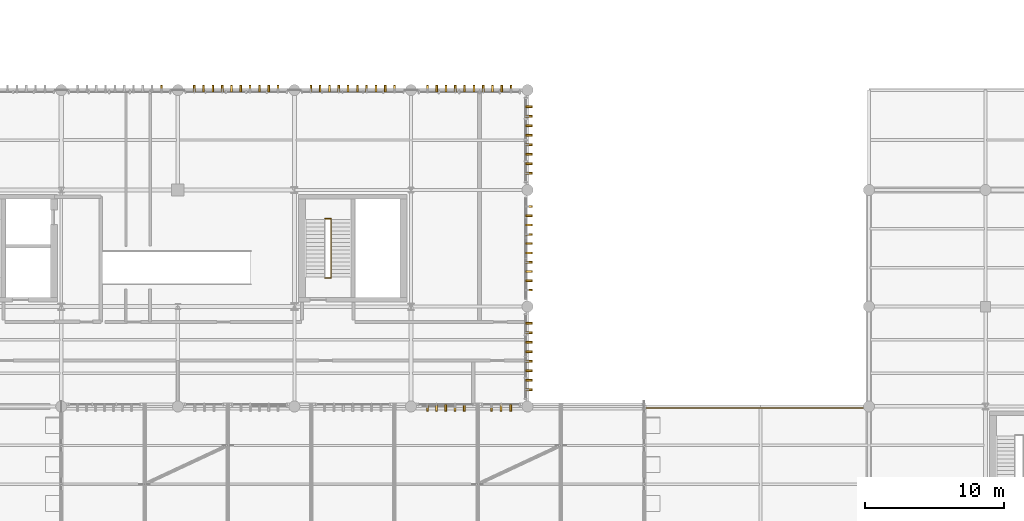
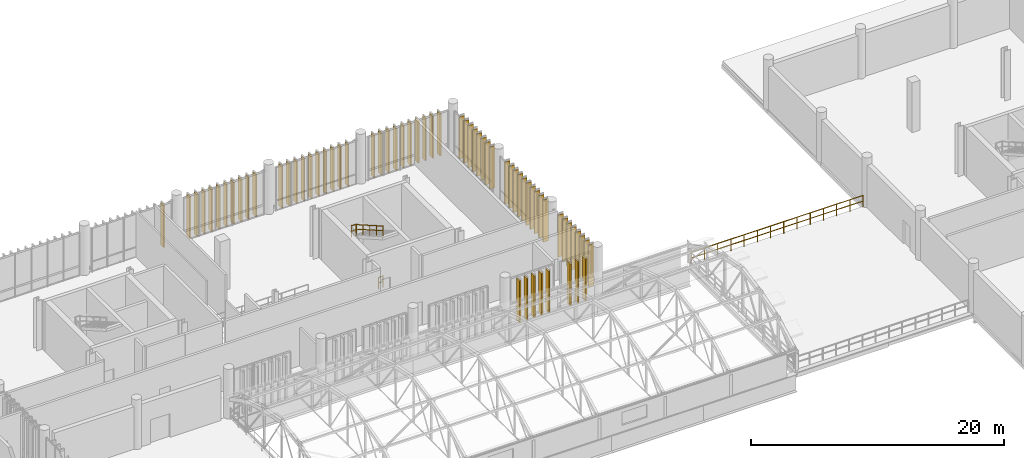
# One storey, part 104 of 109: 65 coverings, 4 railings.
"""IFC4 building model written with IfcOpenShell, lengths in metres."""

from ifc_helpers import new_model, si_unit, direction, frame, frame_2d, origin_with_axes, origin_2d_with_axis, place, context, subcontext, project, spatial, rectangle, circle, extrude, material, type_object, element, save


model = new_model("IFC4")

# Units and contexts
model_context = context("Model", 3, precision=1e-05, world=origin_with_axes(), true_north=direction((0.0, 1.0)))
body_context = subcontext(model_context, "Body", "Model", "MODEL_VIEW")
ifc_project = project(units=[si_unit("LENGTHUNIT", "METRE"), si_unit("AREAUNIT", "SQUARE_METRE"), si_unit("VOLUMEUNIT", "CUBIC_METRE"), si_unit("PLANEANGLEUNIT", "RADIAN"), si_unit("MASSUNIT", "GRAM", prefix="KILO"), si_unit("THERMODYNAMICTEMPERATUREUNIT", "KELVIN")], contexts=[model_context])

# Site, building, storey
site_placement = place(None, origin_with_axes())
site = spatial("IfcSite", under=ifc_project, at=site_placement, CompositionType="ELEMENT")
building_placement = place(site_placement, origin_with_axes())
building = spatial("IfcBuilding", under=site, at=building_placement, Name="Montbau Bow Law Courts", CompositionType="ELEMENT")
storey_placement = place(building_placement, frame((0.0, 0.0, 10.8), z_axis=(0.0, 0.0, 1.0), x_axis=(1.0, 0.0, 0.0)))
storey = spatial("IfcBuildingStorey", under=building, at=storey_placement, Name="L02", CompositionType="ELEMENT", Elevation=10.8)

# Coverings
ifc_material_1 = material(Name="Freeze-Thaw Glazed Warm Cream Ceramic Vertical Louvre", Category="masonry")
covering_type = type_object("IfcCoveringType", Name="CV-LVR-CRM", PredefinedType="CLADDING", material=ifc_material_1)
for number, where, z_axis, x_axis, name in (
    (1, (89.98, 39.13, 10.8), (-1.0, 0.0, 0.0), (0.0, -1.0, 0.0), "CLV-L02-1439:cov_1484"),
    (2, (90.644, 39.13, 10.8), (-1.0, 0.0, 0.0), (0.0, -1.0, 0.0), "CLV-L02-1440:cov_1485"),
    (3, (91.309, 39.13, 10.8), (-1.0, 0.0, 0.0), (0.0, -1.0, 0.0), "CLV-L02-1441:cov_1486"),
    (4, (91.974, 39.13, 10.8), (-1.0, 0.0, 0.0), (0.0, -1.0, 0.0), "CLV-L02-1442:cov_1487"),
    (5, (92.638, 39.13, 10.8), (-1.0, 0.0, 0.0), (0.0, -1.0, 0.0), "CLV-L02-1443:cov_1488"),
    (6, (94.594, 39.13, 10.8), (-1.0, 0.0, 0.0), (0.0, -1.0, 0.0), "CLV-L02-1444:cov_1489"),
    (7, (95.291, 39.13, 10.8), (-1.0, 0.0, 0.0), (0.0, -1.0, 0.0), "CLV-L02-1445:cov_1490"),
    (8, (95.988, 39.13, 10.8), (-1.0, 0.0, 0.0), (0.0, -1.0, 0.0), "CLV-L02-1446:cov_1491"),
    (9, (70.815, 61.67, 10.8), (1.0, 0.0, 0.0), (0.0, 1.0, 0.0), "CLV-L02-1476:cov_1521"),
    (10, (73.185, 61.67, 10.8), (1.0, 0.0, 0.0), (0.0, 1.0, 0.0), "CLV-L02-1477:cov_1522"),
    (11, (73.855, 61.67, 10.8), (1.0, 0.0, 0.0), (0.0, 1.0, 0.0), "CLV-L02-1478:cov_1523"),
    (12, (74.525, 61.67, 10.8), (1.0, 0.0, 0.0), (0.0, 1.0, 0.0), "CLV-L02-1479:cov_1524"),
    (13, (75.195, 61.67, 10.8), (1.0, 0.0, 0.0), (0.0, 1.0, 0.0), "CLV-L02-1480:cov_1525"),
    (14, (75.865, 61.67, 10.8), (1.0, 0.0, 0.0), (0.0, 1.0, 0.0), "CLV-L02-1481:cov_1526"),
    (15, (76.535, 61.67, 10.8), (1.0, 0.0, 0.0), (0.0, 1.0, 0.0), "CLV-L02-1482:cov_1527"),
    (16, (77.205, 61.67, 10.8), (1.0, 0.0, 0.0), (0.0, 1.0, 0.0), "CLV-L02-1483:cov_1528"),
    (17, (77.875, 61.67, 10.8), (1.0, 0.0, 0.0), (0.0, 1.0, 0.0), "CLV-L02-1484:cov_1529"),
    (18, (78.545, 61.67, 10.8), (1.0, 0.0, 0.0), (0.0, 1.0, 0.0), "CLV-L02-1485:cov_1530"),
    (19, (79.215, 61.67, 10.8), (1.0, 0.0, 0.0), (0.0, 1.0, 0.0), "CLV-L02-1486:cov_1531"),
    (20, (81.585, 61.67, 10.8), (1.0, 0.0, 0.0), (0.0, 1.0, 0.0), "CLV-L02-1487:cov_1532"),
    (21, (82.255, 61.67, 10.8), (1.0, 0.0, 0.0), (0.0, 1.0, 0.0), "CLV-L02-1488:cov_1533"),
    (22, (82.925, 61.67, 10.8), (1.0, 0.0, 0.0), (0.0, 1.0, 0.0), "CLV-L02-1489:cov_1534"),
    (23, (83.595, 61.67, 10.8), (1.0, 0.0, 0.0), (0.0, 1.0, 0.0), "CLV-L02-1490:cov_1535"),
    (24, (84.265, 61.67, 10.8), (1.0, 0.0, 0.0), (0.0, 1.0, 0.0), "CLV-L02-1491:cov_1536"),
    (25, (84.935, 61.67, 10.8), (1.0, 0.0, 0.0), (0.0, 1.0, 0.0), "CLV-L02-1492:cov_1537"),
    (26, (85.605, 61.67, 10.8), (1.0, 0.0, 0.0), (0.0, 1.0, 0.0), "CLV-L02-1493:cov_1538"),
    (27, (86.275, 61.67, 10.8), (1.0, 0.0, 0.0), (0.0, 1.0, 0.0), "CLV-L02-1494:cov_1539"),
    (28, (86.945, 61.67, 10.8), (1.0, 0.0, 0.0), (0.0, 1.0, 0.0), "CLV-L02-1495:cov_1540"),
    (29, (87.615, 61.67, 10.8), (1.0, 0.0, 0.0), (0.0, 1.0, 0.0), "CLV-L02-1496:cov_1541"),
    (30, (89.985, 61.67, 10.8), (1.0, 0.0, 0.0), (0.0, 1.0, 0.0), "CLV-L02-1497:cov_1542"),
    (31, (90.655, 61.67, 10.8), (1.0, 0.0, 0.0), (0.0, 1.0, 0.0), "CLV-L02-1498:cov_1543"),
    (32, (91.325, 61.67, 10.8), (1.0, 0.0, 0.0), (0.0, 1.0, 0.0), "CLV-L02-1499:cov_1544"),
    (33, (91.995, 61.67, 10.8), (1.0, 0.0, 0.0), (0.0, 1.0, 0.0), "CLV-L02-1500:cov_1545"),
    (34, (92.665, 61.67, 10.8), (1.0, 0.0, 0.0), (0.0, 1.0, 0.0), "CLV-L02-1501:cov_1546"),
    (35, (93.335, 61.67, 10.8), (1.0, 0.0, 0.0), (0.0, 1.0, 0.0), "CLV-L02-1502:cov_1547"),
    (36, (94.005, 61.67, 10.8), (1.0, 0.0, 0.0), (0.0, 1.0, 0.0), "CLV-L02-1503:cov_1548"),
    (37, (94.675, 61.67, 10.8), (1.0, 0.0, 0.0), (0.0, 1.0, 0.0), "CLV-L02-1504:cov_1549"),
    (38, (95.345, 61.67, 10.8), (1.0, 0.0, 0.0), (0.0, 1.0, 0.0), "CLV-L02-1505:cov_1550"),
    (39, (96.015, 61.67, 10.8), (1.0, 0.0, 0.0), (0.0, 1.0, 0.0), "CLV-L02-1506:cov_1551"),
    (40, (97.07, 40.201, 10.8), (0.0, -1.0, 0.0), (1.0, 0.0, 0.0), "CLV-L02-1533:cov_1578"),
    (41, (97.07, 40.886, 10.8), (0.0, -1.0, 0.0), (1.0, 0.0, 0.0), "CLV-L02-1534:cov_1579"),
    (42, (97.07, 41.572, 10.8), (0.0, -1.0, 0.0), (1.0, 0.0, 0.0), "CLV-L02-1535:cov_1580"),
    (43, (97.07, 42.257, 10.8), (0.0, -1.0, 0.0), (1.0, 0.0, 0.0), "CLV-L02-1536:cov_1581"),
    (44, (97.07, 42.943, 10.8), (0.0, -1.0, 0.0), (1.0, 0.0, 0.0), "CLV-L02-1537:cov_1582"),
    (45, (97.07, 43.628, 10.8), (0.0, -1.0, 0.0), (1.0, 0.0, 0.0), "CLV-L02-1538:cov_1583"),
    (46, (97.07, 44.314, 10.8), (0.0, -1.0, 0.0), (1.0, 0.0, 0.0), "CLV-L02-1539:cov_1584"),
    (47, (97.07, 44.999, 10.8), (0.0, -1.0, 0.0), (1.0, 0.0, 0.0), "CLV-L02-1540:cov_1585"),
    (48, (97.07, 47.385, 10.8), (0.0, -1.0, 0.0), (1.0, 0.0, 0.0), "CLV-L02-1541:cov_1586"),
    (49, (97.07, 48.055, 10.8), (0.0, -1.0, 0.0), (1.0, 0.0, 0.0), "CLV-L02-1542:cov_1587"),
    (50, (97.07, 48.725, 10.8), (0.0, -1.0, 0.0), (1.0, 0.0, 0.0), "CLV-L02-1543:cov_1588"),
    (51, (97.07, 49.395, 10.8), (0.0, -1.0, 0.0), (1.0, 0.0, 0.0), "CLV-L02-1544:cov_1589"),
    (52, (97.07, 50.065, 10.8), (0.0, -1.0, 0.0), (1.0, 0.0, 0.0), "CLV-L02-1545:cov_1590"),
    (53, (97.07, 50.735, 10.8), (0.0, -1.0, 0.0), (1.0, 0.0, 0.0), "CLV-L02-1546:cov_1591"),
    (54, (97.07, 51.405, 10.8), (0.0, -1.0, 0.0), (1.0, 0.0, 0.0), "CLV-L02-1547:cov_1592"),
    (55, (97.07, 52.075, 10.8), (0.0, -1.0, 0.0), (1.0, 0.0, 0.0), "CLV-L02-1548:cov_1593"),
    (56, (97.07, 52.745, 10.8), (0.0, -1.0, 0.0), (1.0, 0.0, 0.0), "CLV-L02-1549:cov_1594"),
    (57, (97.07, 53.415, 10.8), (0.0, -1.0, 0.0), (1.0, 0.0, 0.0), "CLV-L02-1550:cov_1595"),
    (58, (97.07, 55.801, 10.8), (0.0, -1.0, 0.0), (1.0, 0.0, 0.0), "CLV-L02-1551:cov_1596"),
    (59, (97.07, 56.486, 10.8), (0.0, -1.0, 0.0), (1.0, 0.0, 0.0), "CLV-L02-1552:cov_1597"),
    (60, (97.07, 57.172, 10.8), (0.0, -1.0, 0.0), (1.0, 0.0, 0.0), "CLV-L02-1553:cov_1598"),
    (61, (97.07, 57.857, 10.8), (0.0, -1.0, 0.0), (1.0, 0.0, 0.0), "CLV-L02-1554:cov_1599"),
    (62, (97.07, 58.543, 10.8), (0.0, -1.0, 0.0), (1.0, 0.0, 0.0), "CLV-L02-1555:cov_1600"),
    (63, (97.07, 59.228, 10.8), (0.0, -1.0, 0.0), (1.0, 0.0, 0.0), "CLV-L02-1556:cov_1601"),
    (64, (97.07, 59.914, 10.8), (0.0, -1.0, 0.0), (1.0, 0.0, 0.0), "CLV-L02-1557:cov_1602"),
    (65, (97.07, 60.599, 10.8), (0.0, -1.0, 0.0), (1.0, 0.0, 0.0), "CLV-L02-1558:cov_1603"),
):
    element("IfcCovering", number, at=place(None, frame(where, z_axis=z_axis, x_axis=x_axis)), inside=storey, type_object=covering_type, Name=name, PredefinedType="CLADDING", context=body_context, shape_type="SweptSolid", body=[
        extrude(rectangle(XDim=0.48, YDim=4.04, at=frame_2d((0.24, 2.02), x_axis=(1.0, 0.0))), frame((0.0, 0.0, -0.06), z_axis=(0.0, 0.0, 1.0), x_axis=(1.0, 0.0, 0.0)), (0.0, 0.0, 1.0), 0.12),
    ])

# Railings
ifc_material_2 = material(Name="Architectural Bronze-Finished Steel Stair Guard", Category="steel")
railing_type_1 = type_object("IfcRailingType", Name="RL-GRD-1100", PredefinedType="GUARDRAIL", material=ifc_material_2)
railing_1_placement = place(None, origin_with_axes())
element("IfcRailing", 66, at=railing_1_placement, inside=storey, type_object=railing_type_1, Name="SG-ST-P3-L02-ML:rlg_0140", PredefinedType="GUARDRAIL", context=body_context, shape_type="SweptSolid", body=[
    extrude(circle(Radius=0.0225, at=origin_2d_with_axis()), frame((82.61, 52.53, 14.302), z_axis=(1.0, 0.0, 0.0), x_axis=(0.0, 0.0, 1.0)), (0.0, 0.0, 1.0), 0.43),
    extrude(circle(Radius=0.02025, at=origin_2d_with_axis()), frame((82.61, 52.53, 13.772), z_axis=(1.0, 0.0, 0.0), x_axis=(0.0, 0.0, 1.0)), (0.0, 0.0, 1.0), 0.43),
    extrude(circle(Radius=0.02025, at=origin_2d_with_axis()), frame((82.61, 52.53, 13.2), z_axis=(0.0, 0.0, 1.0), x_axis=(1.0, 0.0, 0.0)), (0.0, 0.0, 1.0), 1.07525),
    extrude(circle(Radius=0.02025, at=origin_2d_with_axis()), frame((83.04, 52.53, 13.2), z_axis=(0.0, 0.0, 1.0), x_axis=(1.0, 0.0, 0.0)), (0.0, 0.0, 1.0), 1.07525),
])
railing_2_placement = place(None, origin_with_axes())
element("IfcRailing", 67, at=railing_2_placement, inside=storey, type_object=railing_type_1, Name="SG-ST-P3-L02-BL:rlg_0141", PredefinedType="GUARDRAIL", context=body_context, shape_type="SweptSolid", body=[
    extrude(circle(Radius=0.0225, at=origin_2d_with_axis()), frame((82.61, 48.27, 11.902), z_axis=(1.0, 0.0, 0.0), x_axis=(0.0, 0.0, 1.0)), (0.0, 0.0, 1.0), 0.43),
    extrude(circle(Radius=0.02025, at=origin_2d_with_axis()), frame((82.61, 48.27, 11.372), z_axis=(1.0, 0.0, 0.0), x_axis=(0.0, 0.0, 1.0)), (0.0, 0.0, 1.0), 0.43),
    extrude(circle(Radius=0.02025, at=origin_2d_with_axis()), frame((82.61, 48.27, 10.8), z_axis=(0.0, 0.0, 1.0), x_axis=(1.0, 0.0, 0.0)), (0.0, 0.0, 1.0), 1.07525),
    extrude(circle(Radius=0.02025, at=origin_2d_with_axis()), frame((83.04, 48.27, 10.8), z_axis=(0.0, 0.0, 1.0), x_axis=(1.0, 0.0, 0.0)), (0.0, 0.0, 1.0), 1.07525),
])
ifc_material_3 = material(Name="Brushed Stainless Steel AISI 316L Guardrail", Category="steel")
railing_type_2 = type_object("IfcRailingType", Name="RL-GRD-1120", PredefinedType="GUARDRAIL", material=ifc_material_3)
railing_3_placement = place(None, origin_with_axes())
element("IfcRailing", 68, at=railing_3_placement, inside=storey, type_object=railing_type_2, Name="GRD-TER-L02-E-6:rlg_0009", PredefinedType="GUARDRAIL", context=body_context, shape_type="SweptSolid", body=[
    extrude(circle(Radius=0.025, at=origin_2d_with_axis()), frame((105.7, 38.9, 11.922), z_axis=(1.0, 0.0, 0.0), x_axis=(0.0, 0.0, 1.0)), (0.0, 0.0, 1.0), 15.68),
    extrude(circle(Radius=0.022500000000000003, at=origin_2d_with_axis()), frame((105.7, 38.9, 11.3824), z_axis=(1.0, 0.0, 0.0), x_axis=(0.0, 0.0, 1.0)), (0.0, 0.0, 1.0), 15.68),
    extrude(circle(Radius=0.022500000000000003, at=origin_2d_with_axis()), frame((105.7, 38.9, 10.8), z_axis=(0.0, 0.0, 1.0), x_axis=(1.0, 0.0, 0.0)), (0.0, 0.0, 1.0), 1.0925),
    extrude(circle(Radius=0.022500000000000003, at=origin_2d_with_axis()), frame((106.906154, 38.9, 10.8), z_axis=(0.0, 0.0, 1.0), x_axis=(1.0, 0.0, 0.0)), (0.0, 0.0, 1.0), 1.0925),
    extrude(circle(Radius=0.022500000000000003, at=origin_2d_with_axis()), frame((108.112308, 38.9, 10.8), z_axis=(0.0, 0.0, 1.0), x_axis=(1.0, 0.0, 0.0)), (0.0, 0.0, 1.0), 1.0925),
    extrude(circle(Radius=0.022500000000000003, at=origin_2d_with_axis()), frame((109.318462, 38.9, 10.8), z_axis=(0.0, 0.0, 1.0), x_axis=(1.0, 0.0, 0.0)), (0.0, 0.0, 1.0), 1.0925),
    extrude(circle(Radius=0.022500000000000003, at=origin_2d_with_axis()), frame((110.524615, 38.9, 10.8), z_axis=(0.0, 0.0, 1.0), x_axis=(1.0, 0.0, 0.0)), (0.0, 0.0, 1.0), 1.0925),
    extrude(circle(Radius=0.022500000000000003, at=origin_2d_with_axis()), frame((111.730769, 38.9, 10.8), z_axis=(0.0, 0.0, 1.0), x_axis=(1.0, 0.0, 0.0)), (0.0, 0.0, 1.0), 1.0925),
    extrude(circle(Radius=0.022500000000000003, at=origin_2d_with_axis()), frame((112.936923, 38.9, 10.8), z_axis=(0.0, 0.0, 1.0), x_axis=(1.0, 0.0, 0.0)), (0.0, 0.0, 1.0), 1.0925),
    extrude(circle(Radius=0.022500000000000003, at=origin_2d_with_axis()), frame((114.143077, 38.9, 10.8), z_axis=(0.0, 0.0, 1.0), x_axis=(1.0, 0.0, 0.0)), (0.0, 0.0, 1.0), 1.0925),
    extrude(circle(Radius=0.022500000000000003, at=origin_2d_with_axis()), frame((115.349231, 38.9, 10.8), z_axis=(0.0, 0.0, 1.0), x_axis=(1.0, 0.0, 0.0)), (0.0, 0.0, 1.0), 1.0925),
    extrude(circle(Radius=0.022500000000000003, at=origin_2d_with_axis()), frame((116.555385, 38.9, 10.8), z_axis=(0.0, 0.0, 1.0), x_axis=(1.0, 0.0, 0.0)), (0.0, 0.0, 1.0), 1.0925),
    extrude(circle(Radius=0.022500000000000003, at=origin_2d_with_axis()), frame((117.761538, 38.9, 10.8), z_axis=(0.0, 0.0, 1.0), x_axis=(1.0, 0.0, 0.0)), (0.0, 0.0, 1.0), 1.0925),
    extrude(circle(Radius=0.022500000000000003, at=origin_2d_with_axis()), frame((118.967692, 38.9, 10.8), z_axis=(0.0, 0.0, 1.0), x_axis=(1.0, 0.0, 0.0)), (0.0, 0.0, 1.0), 1.0925),
    extrude(circle(Radius=0.022500000000000003, at=origin_2d_with_axis()), frame((120.173846, 38.9, 10.8), z_axis=(0.0, 0.0, 1.0), x_axis=(1.0, 0.0, 0.0)), (0.0, 0.0, 1.0), 1.0925),
    extrude(circle(Radius=0.022500000000000003, at=origin_2d_with_axis()), frame((121.38, 38.9, 10.8), z_axis=(0.0, 0.0, 1.0), x_axis=(1.0, 0.0, 0.0)), (0.0, 0.0, 1.0), 1.0925),
])
ifc_material_4 = material(Name="White-Oak and Stainless Continuous Stair Handrail", Category="steel")
railing_type_3 = type_object("IfcRailingType", Name="RL-HND-0920", PredefinedType="HANDRAIL", material=ifc_material_4)
railing_4_placement = place(None, origin_with_axes())
element("IfcRailing", 69, at=railing_4_placement, inside=storey, type_object=railing_type_3, Name="HR-ST-P3-L02-2:rlg_0143", PredefinedType="HANDRAIL", context=body_context, shape_type="SweptSolid", body=[
    extrude(circle(Radius=0.021, at=origin_2d_with_axis()), frame((83.04, 52.5, 14.282), z_axis=(0.0, -0.868243142, 0.496138938), x_axis=(0.0, 0.496138938, 0.868243142)), (0.0, 0.0, 1.0), 4.837355),
    extrude(circle(Radius=0.0189, at=origin_2d_with_axis()), frame((83.04, 52.5, 13.8384), z_axis=(0.0, -0.868243142, 0.496138938), x_axis=(0.0, 0.496138938, 0.868243142)), (0.0, 0.0, 1.0), 4.837355),
    extrude(circle(Radius=0.0189, at=origin_2d_with_axis()), frame((83.04, 52.5, 13.36), z_axis=(0.0, 0.0, 1.0), x_axis=(1.0, 0.0, 0.0)), (0.0, 0.0, 1.0), 0.8969),
    extrude(circle(Radius=0.0189, at=origin_2d_with_axis()), frame((83.04, 51.45, 13.96), z_axis=(0.0, 0.0, 1.0), x_axis=(1.0, 0.0, 0.0)), (0.0, 0.0, 1.0), 0.8969),
    extrude(circle(Radius=0.0189, at=origin_2d_with_axis()), frame((83.04, 50.4, 14.56), z_axis=(0.0, 0.0, 1.0), x_axis=(1.0, 0.0, 0.0)), (0.0, 0.0, 1.0), 0.8969),
    extrude(circle(Radius=0.0189, at=origin_2d_with_axis()), frame((83.04, 49.35, 15.16), z_axis=(0.0, 0.0, 1.0), x_axis=(1.0, 0.0, 0.0)), (0.0, 0.0, 1.0), 0.8969),
    extrude(circle(Radius=0.0189, at=origin_2d_with_axis()), frame((83.04, 48.3, 15.76), z_axis=(0.0, 0.0, 1.0), x_axis=(1.0, 0.0, 0.0)), (0.0, 0.0, 1.0), 0.8969),
])

save(model, "model.ifc")
